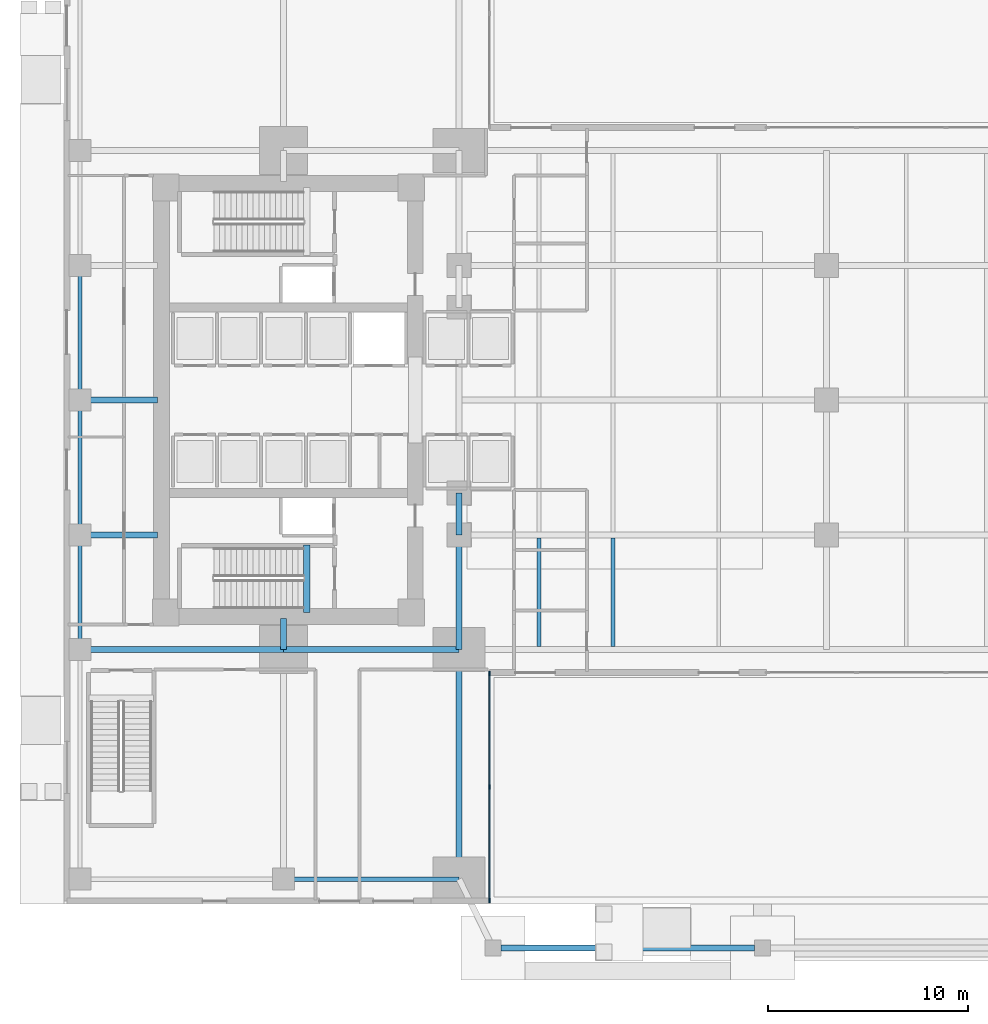
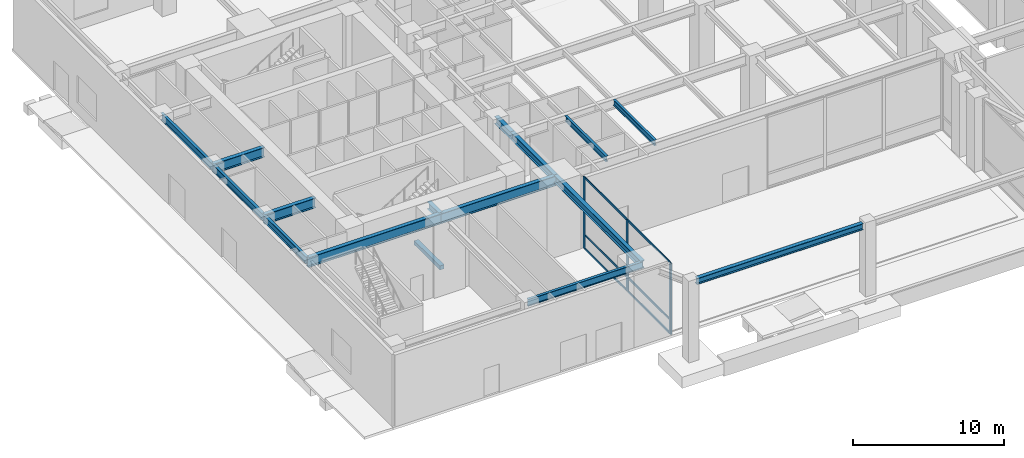
# One storey, part 2 of 17: 16 beams, 9 members, 1 element without a shape of its own.
"""IFC4 building model written with IfcOpenShell, lengths in metres."""

from ifc_helpers import new_model, si_unit, direction, frame, origin, origin_2d, place, context, subcontext, project, spatial, rectangle, i_section, extrude, material, layer, layer_set, material_profile, profile_set, type_object, element, aggregate, save


model = new_model("IFC4")

# Units and contexts
model_context = context("Model", 3, precision=1e-05, world=origin(), true_north=direction((0.0, 1.0)))
body_context = subcontext(model_context, "Body", "Model", "MODEL_VIEW")
ifc_project = project(units=[si_unit("LENGTHUNIT", "METRE"), si_unit("AREAUNIT", "SQUARE_METRE"), si_unit("VOLUMEUNIT", "CUBIC_METRE"), si_unit("PLANEANGLEUNIT", "RADIAN"), si_unit("MASSUNIT", "GRAM", prefix="KILO")], contexts=[model_context])

# Site, building, storey
site_placement = place(None, origin())
site = spatial("IfcSite", under=ifc_project, at=site_placement, CompositionType="ELEMENT")
building_placement = place(site_placement, origin())
building = spatial("IfcBuilding", under=site, at=building_placement, Name="Kinhvarn Gate Tower", CompositionType="ELEMENT")
storey_placement = place(building_placement, origin())
storey = spatial("IfcBuildingStorey", under=building, at=storey_placement, Name="L00", CompositionType="ELEMENT", Elevation=0.0)

# Beam
ifc_material_1 = material(Name="Concrete C50/60", Category="concrete")
ifc_material_profile_1 = material_profile(ifc_material_1, rectangle(XDim=0.340087890625, YDim=0.320068359375, at=origin_2d()), Name="RC 340x320")
ifc_profile_set_1 = profile_set([ifc_material_profile_1], Name="Concrete C50/60")
beam_type_1 = type_object("IfcBeamType", Name="BM-LND-500", PredefinedType="BEAM", material=ifc_profile_set_1)
beam_1_placement = place(storey_placement, frame((12.1650390625, 14.60009765625, -0.159912109375), z_axis=(0.0, 1.0, 0.0), x_axis=(-1.0, 0.0, 0.0)))
element("IfcBeam", 1, at=beam_1_placement, inside=storey, type_object=beam_type_1, Name="Stair ST1 Landing Nosing Beam (L00)", PredefinedType="BEAM", context=body_context, shape_type="SweptSolid", body=[
    extrude(rectangle(XDim=0.340087890625, YDim=0.320068359375, at=origin_2d()), origin(), (0.0, 0.0, 1.0), 3.39990234375),
])

# Curtain wall, members
ifc_material_2 = material(Name="Anodised aluminium AW-6063", Category="aluminium")
ifc_layer = layer(ifc_material_2, 0.219970703125)
ifc_layer_set = layer_set([ifc_layer], Name="Anodised aluminium AW-6063")
curtain_wall_type = type_object("IfcCurtainWallType", Name="CW-SYS-1", PredefinedType="NOTDEFINED", material=ifc_layer_set)
curtain_wall_placement = place(storey_placement, origin())
curtain_wall = element("IfcCurtainWall", 2, at=curtain_wall_placement, inside=storey, type_object=curtain_wall_type, Name="Curtain Wall CW1 (L00)", PredefinedType="NOTDEFINED")
ifc_material_profile_2 = material_profile(ifc_material_2, rectangle(XDim=0.080078125, YDim=0.219970703125, at=origin_2d()), Name="ALU 80x220")
ifc_profile_set_2 = profile_set([ifc_material_profile_2], Name="Anodised aluminium AW-6063")
member_type_1 = type_object("IfcMemberType", Name="CW-MUL-220", PredefinedType="MULLION", material=ifc_profile_set_2)
member_1_placement = place(storey_placement, frame((21.31005859375, 0.18994140625, 0.0), z_axis=(0.0, 0.0, 1.0), x_axis=(-1.0, 0.0, 0.0)))
member_1 = element("IfcMember", 3, at=member_1_placement, type_object=member_type_1, Name="CW1 mullion 1", PredefinedType="MULLION", context=body_context, shape_type="SweptSolid", body=[
    extrude(rectangle(XDim=0.080078125, YDim=0.219970703125, at=origin_2d()), origin(), (0.0, 0.0, 1.0), 5.800048828125),
])
member_2_placement = place(storey_placement, frame((21.31005859375, 5.875, 0.0), z_axis=(0.0, 0.0, 1.0), x_axis=(-1.0, 0.0, 0.0)))
member_2 = element("IfcMember", 4, at=member_2_placement, type_object=member_type_1, Name="CW1 mullion 2", PredefinedType="MULLION", context=body_context, shape_type="SweptSolid", body=[
    extrude(rectangle(XDim=0.080078125, YDim=0.219970703125, at=origin_2d()), origin(), (0.0, 0.0, 1.0), 5.800048828125),
])
member_3_placement = place(storey_placement, frame((21.31005859375, 11.56005859375, 0.0), z_axis=(0.0, 0.0, 1.0), x_axis=(-1.0, 0.0, 0.0)))
member_3 = element("IfcMember", 5, at=member_3_placement, type_object=member_type_1, Name="CW1 mullion 3", PredefinedType="MULLION", context=body_context, shape_type="SweptSolid", body=[
    extrude(rectangle(XDim=0.080078125, YDim=0.219970703125, at=origin_2d()), origin(), (0.0, 0.0, 1.0), 5.800048828125),
])
ifc_material_profile_3 = material_profile(ifc_material_2, rectangle(XDim=0.080078125, YDim=0.159912109375, at=origin_2d()), Name="ALU 80x160")
ifc_profile_set_3 = profile_set([ifc_material_profile_3], Name="Anodised aluminium AW-6063")
member_type_2 = type_object("IfcMemberType", Name="CW-TRN-160", PredefinedType="USERDEFINED", material=ifc_profile_set_3)
member_4_placement = place(storey_placement, frame((21.31005859375, 0.22998046875, 0.0400390625), z_axis=(0.0, 1.0, 0.0), x_axis=(-1.0, 0.0, 0.0)))
member_4 = element("IfcMember", 6, at=member_4_placement, type_object=member_type_2, Name="CW1 transom 1.1", ObjectType="TRANSOM", PredefinedType="USERDEFINED", context=body_context, shape_type="SweptSolid", body=[
    extrude(rectangle(XDim=0.080078125, YDim=0.159912109375, at=origin_2d()), origin(), (0.0, 0.0, 1.0), 5.60498046875),
])
member_5_placement = place(storey_placement, frame((21.31005859375, 0.22998046875, 1.14990234375), z_axis=(0.0, 1.0, 0.0), x_axis=(-1.0, 0.0, 0.0)))
member_5 = element("IfcMember", 7, at=member_5_placement, type_object=member_type_2, Name="CW1 transom 1.2", ObjectType="TRANSOM", PredefinedType="USERDEFINED", context=body_context, shape_type="SweptSolid", body=[
    extrude(rectangle(XDim=0.080078125, YDim=0.159912109375, at=origin_2d()), origin(), (0.0, 0.0, 1.0), 5.60498046875),
])
member_6_placement = place(storey_placement, frame((21.31005859375, 0.22998046875, 5.760009765625), z_axis=(0.0, 1.0, 0.0), x_axis=(-1.0, 0.0, 0.0)))
member_6 = element("IfcMember", 8, at=member_6_placement, type_object=member_type_2, Name="CW1 transom 1.3", ObjectType="TRANSOM", PredefinedType="USERDEFINED", context=body_context, shape_type="SweptSolid", body=[
    extrude(rectangle(XDim=0.080078125, YDim=0.159912109375, at=origin_2d()), origin(), (0.0, 0.0, 1.0), 5.60498046875),
])
member_7_placement = place(storey_placement, frame((21.31005859375, 5.9150390625, 0.0400390625), z_axis=(0.0, 1.0, 0.0), x_axis=(-1.0, 0.0, 0.0)))
member_7 = element("IfcMember", 9, at=member_7_placement, type_object=member_type_2, Name="CW1 transom 2.1", ObjectType="TRANSOM", PredefinedType="USERDEFINED", context=body_context, shape_type="SweptSolid", body=[
    extrude(rectangle(XDim=0.080078125, YDim=0.159912109375, at=origin_2d()), origin(), (0.0, 0.0, 1.0), 5.60498046875),
])
member_8_placement = place(storey_placement, frame((21.31005859375, 5.9150390625, 1.14990234375), z_axis=(0.0, 1.0, 0.0), x_axis=(-1.0, 0.0, 0.0)))
member_8 = element("IfcMember", 10, at=member_8_placement, type_object=member_type_2, Name="CW1 transom 2.2", ObjectType="TRANSOM", PredefinedType="USERDEFINED", context=body_context, shape_type="SweptSolid", body=[
    extrude(rectangle(XDim=0.080078125, YDim=0.159912109375, at=origin_2d()), origin(), (0.0, 0.0, 1.0), 5.60498046875),
])
member_9_placement = place(storey_placement, frame((21.31005859375, 5.9150390625, 5.760009765625), z_axis=(0.0, 1.0, 0.0), x_axis=(-1.0, 0.0, 0.0)))
member_9 = element("IfcMember", 11, at=member_9_placement, type_object=member_type_2, Name="CW1 transom 2.3", ObjectType="TRANSOM", PredefinedType="USERDEFINED", context=body_context, shape_type="SweptSolid", body=[
    extrude(rectangle(XDim=0.080078125, YDim=0.159912109375, at=origin_2d()), origin(), (0.0, 0.0, 1.0), 5.60498046875),
])
aggregate(curtain_wall, [member_1, member_2, member_3, member_4, member_5, member_6, member_7, member_8, member_9])

# Beams
ifc_material_3 = material(Name="Steel S355", Category="steel")
ifc_material_profile_4 = material_profile(ifc_material_3, i_section(OverallWidth=0.300048828125, OverallDepth=0.5, WebThickness=0.014404296875, FlangeThickness=0.028076171875, at=origin_2d()), Name="HEB 500")
ifc_profile_set_4 = profile_set([ifc_material_profile_4], Name="Steel S355")
beam_type_2 = type_object("IfcBeamType", Name="STL-HEB500", PredefinedType="BEAM", material=ifc_profile_set_4)
beam_2_placement = place(storey_placement, frame((21.89990234375, -2.199951171875, 5.550048828125), z_axis=(1.0, 0.0, 0.0), x_axis=(0.0, 1.0, 0.0)))
element("IfcBeam", 12, at=beam_2_placement, inside=storey, type_object=beam_type_2, Name="Portico Canopy Front Girder S-1", PredefinedType="BEAM", context=body_context, shape_type="SweptSolid", body=[
    extrude(i_section(OverallWidth=0.300048828125, OverallDepth=0.5, WebThickness=0.014404296875, FlangeThickness=0.028076171875, at=origin_2d()), origin(), (0.0, 0.0, 1.0), 12.7001953125),
])
ifc_material_profile_5 = material_profile(ifc_material_3, i_section(OverallWidth=0.300048828125, OverallDepth=0.60009765625, WebThickness=0.015380859375, FlangeThickness=0.030029296875, at=origin_2d()), Name="HEB 600")
ifc_profile_set_5 = profile_set([ifc_material_profile_5], Name="Steel S355")
beam_type_3 = type_object("IfcBeamType", Name="STL-HEB600", PredefinedType="BEAM", material=ifc_profile_set_5)
beam_3_placement = place(storey_placement, frame((11.0, 12.75, 5.5), z_axis=(0.0, 1.0, 0.0), x_axis=(-1.0, 0.0, 0.0)))
element("IfcBeam", 13, at=beam_3_placement, inside=storey, type_object=beam_type_3, Name="Floor Beam PG-16 (L00 NS11-CS)", PredefinedType="BEAM", context=body_context, shape_type="SweptSolid", body=[
    extrude(i_section(OverallWidth=0.300048828125, OverallDepth=0.60009765625, WebThickness=0.015380859375, FlangeThickness=0.030029296875, at=origin_2d()), origin(), (0.0, 0.0, 1.0), 1.550048828125),
])
beam_4_placement = place(storey_placement, frame((19.800048828125, 1.25, 5.5), z_axis=(0.0, 1.0, 0.0), x_axis=(-1.0, 0.0, 0.0)))
element("IfcBeam", 14, at=beam_4_placement, inside=storey, type_object=beam_type_3, Name="Floor Beam PG-16 (L00 APW-1)", PredefinedType="BEAM", context=body_context, shape_type="SweptSolid", body=[
    extrude(i_section(OverallWidth=0.300048828125, OverallDepth=0.60009765625, WebThickness=0.015380859375, FlangeThickness=0.030029296875, at=origin_2d()), origin(), (0.0, 0.0, 1.0), 11.5),
])
beam_5_placement = place(storey_placement, frame((19.800048828125, 12.75, 5.5), z_axis=(0.0, 1.0, 0.0), x_axis=(-1.0, 0.0, 0.0)))
element("IfcBeam", 15, at=beam_5_placement, inside=storey, type_object=beam_type_3, Name="Floor Beam PG-16 (L00 APW-2)", PredefinedType="BEAM", context=body_context, shape_type="SweptSolid", body=[
    extrude(i_section(OverallWidth=0.300048828125, OverallDepth=0.60009765625, WebThickness=0.015380859375, FlangeThickness=0.030029296875, at=origin_2d()), origin(), (0.0, 0.0, 1.0), 5.75),
])
beam_6_placement = place(storey_placement, frame((19.800048828125, 18.5, 5.5), z_axis=(0.0, 1.0, 0.0), x_axis=(-1.0, 0.0, 0.0)))
element("IfcBeam", 16, at=beam_6_placement, inside=storey, type_object=beam_type_3, Name="Floor Beam PG-16 (L00 APW-3)", PredefinedType="BEAM", context=body_context, shape_type="SweptSolid", body=[
    extrude(i_section(OverallWidth=0.300048828125, OverallDepth=0.60009765625, WebThickness=0.015380859375, FlangeThickness=0.030029296875, at=origin_2d()), origin(), (0.0, 0.0, 1.0), 2.10009765625),
])
ifc_material_profile_6 = material_profile(ifc_material_3, i_section(OverallWidth=0.300048828125, OverallDepth=0.800048828125, WebThickness=0.017578125, FlangeThickness=0.032958984375, at=origin_2d()), Name="HEB 800")
ifc_profile_set_6 = profile_set([ifc_material_profile_6], Name="Steel S355")
beam_type_4 = type_object("IfcBeamType", Name="STL-HEB800", PredefinedType="BEAM", material=ifc_profile_set_6)
beam_7_placement = place(storey_placement, frame((0.800048828125, 12.75, 5.39990234375), z_axis=(1.0, 0.0, 0.0), x_axis=(0.0, 1.0, 0.0)))
element("IfcBeam", 17, at=beam_7_placement, inside=storey, type_object=beam_type_4, Name="Floor Beam PG-19 (L00 SPS-1)", PredefinedType="BEAM", context=body_context, shape_type="SweptSolid", body=[
    extrude(i_section(OverallWidth=0.300048828125, OverallDepth=0.800048828125, WebThickness=0.017578125, FlangeThickness=0.032958984375, at=origin_2d()), origin(), (0.0, 0.0, 1.0), 10.199951171875),
])
beam_8_placement = place(storey_placement, frame((11.0, 12.75, 5.39990234375), z_axis=(1.0, 0.0, 0.0), x_axis=(0.0, 1.0, 0.0)))
element("IfcBeam", 18, at=beam_8_placement, inside=storey, type_object=beam_type_4, Name="Floor Beam PG-19 (L00 SPS-2)", PredefinedType="BEAM", context=body_context, shape_type="SweptSolid", body=[
    extrude(i_section(OverallWidth=0.300048828125, OverallDepth=0.800048828125, WebThickness=0.017578125, FlangeThickness=0.032958984375, at=origin_2d()), origin(), (0.0, 0.0, 1.0), 8.800048828125),
])
for number, where, z_axis, x_axis, name in (
    (19, (0.800048828125, 18.5, 5.39990234375), (1.0, 0.0, 0.0), (0.0, 1.0, 0.0), "Floor Beam PG-19 (L00 W-MID-18)"),
    (20, (0.800048828125, 25.25, 5.39990234375), (1.0, 0.0, 0.0), (0.0, 1.0, 0.0), "Floor Beam PG-19 (L00 W-MID-25)"),
):
    element("IfcBeam", number, at=place(storey_placement, frame(where, z_axis=z_axis, x_axis=x_axis)), inside=storey, type_object=beam_type_4, Name=name, PredefinedType="BEAM", context=body_context, shape_type="SweptSolid", body=[
        extrude(i_section(OverallWidth=0.300048828125, OverallDepth=0.800048828125, WebThickness=0.017578125, FlangeThickness=0.032958984375, at=origin_2d()), origin(), (0.0, 0.0, 1.0), 3.89990234375),
    ])
ifc_material_profile_7 = material_profile(ifc_material_3, i_section(OverallWidth=0.18994140625, OverallDepth=0.449951171875, WebThickness=0.009521484375, FlangeThickness=0.0146484375, at=origin_2d()), Name="IPE 450")
ifc_profile_set_7 = profile_set([ifc_material_profile_7], Name="Steel S355")
beam_type_5 = type_object("IfcBeamType", Name="STL-IPE450", PredefinedType="JOIST", material=ifc_profile_set_7)
for number, where, z_axis, x_axis, name in (
    (21, (23.800048828125, 12.89990234375, 5.574951171875), (0.0, 1.0, 0.0), (-1.0, 0.0, 0.0), "Floor Joist SB-06 (L00 POD-J238-12)"),
    (22, (27.5, 12.89990234375, 5.574951171875), (0.0, 1.0, 0.0), (-1.0, 0.0, 0.0), "Floor Joist SB-06 (L00 POD-J275-12)"),
):
    element("IfcBeam", number, at=place(storey_placement, frame(where, z_axis=z_axis, x_axis=x_axis)), inside=storey, type_object=beam_type_5, Name=name, PredefinedType="JOIST", context=body_context, shape_type="SweptSolid", body=[
        extrude(i_section(OverallWidth=0.18994140625, OverallDepth=0.449951171875, WebThickness=0.009521484375, FlangeThickness=0.0146484375, at=origin_2d()), origin(), (0.0, 0.0, 1.0), 5.4501953125),
    ])
ifc_material_profile_8 = material_profile(ifc_material_3, i_section(OverallWidth=0.2099609375, OverallDepth=0.550048828125, WebThickness=0.010986328125, FlangeThickness=0.01708984375, at=origin_2d()), Name="IPE 550")
ifc_profile_set_8 = profile_set([ifc_material_profile_8], Name="Steel S355")
beam_type_6 = type_object("IfcBeamType", Name="STL-IPE550", PredefinedType="SPANDREL", material=ifc_profile_set_8)
beam_9_placement = place(storey_placement, frame((0.800048828125, 12.75, 5.52490234375), z_axis=(0.0, 1.0, 0.0), x_axis=(-1.0, 0.0, 0.0)))
element("IfcBeam", 23, at=beam_9_placement, inside=storey, type_object=beam_type_6, Name="Floor Spandrel SB-08 (L00 PERW-2)", PredefinedType="SPANDREL", context=body_context, shape_type="SweptSolid", body=[
    extrude(i_section(OverallWidth=0.2099609375, OverallDepth=0.550048828125, WebThickness=0.010986328125, FlangeThickness=0.01708984375, at=origin_2d()), origin(), (0.0, 0.0, 1.0), 5.75),
])
for number, where, z_axis, x_axis, name in (
    (24, (0.800048828125, 18.5, 5.52490234375), (0.0, 1.0, 0.0), (-1.0, 0.0, 0.0), "Floor Spandrel SB-08 (L00 PERW-3)"),
    (25, (0.800048828125, 25.25, 5.52490234375), (0.0, 1.0, 0.0), (-1.0, 0.0, 0.0), "Floor Spandrel SB-08 (L00 PERW-4)"),
):
    element("IfcBeam", number, at=place(storey_placement, frame(where, z_axis=z_axis, x_axis=x_axis)), inside=storey, type_object=beam_type_6, Name=name, PredefinedType="SPANDREL", context=body_context, shape_type="SweptSolid", body=[
        extrude(i_section(OverallWidth=0.2099609375, OverallDepth=0.550048828125, WebThickness=0.010986328125, FlangeThickness=0.01708984375, at=origin_2d()), origin(), (0.0, 0.0, 1.0), 6.75),
    ])
beam_10_placement = place(storey_placement, frame((11.0, 1.25, 5.52490234375), z_axis=(1.0, 0.0, 0.0), x_axis=(0.0, 1.0, 0.0)))
element("IfcBeam", 26, at=beam_10_placement, inside=storey, type_object=beam_type_6, Name="Floor Spandrel SB-08 (L00 SP-POD-SW2)", PredefinedType="SPANDREL", context=body_context, shape_type="SweptSolid", body=[
    extrude(i_section(OverallWidth=0.2099609375, OverallDepth=0.550048828125, WebThickness=0.010986328125, FlangeThickness=0.01708984375, at=origin_2d()), origin(), (0.0, 0.0, 1.0), 8.800048828125),
])

save(model, "model.ifc")
